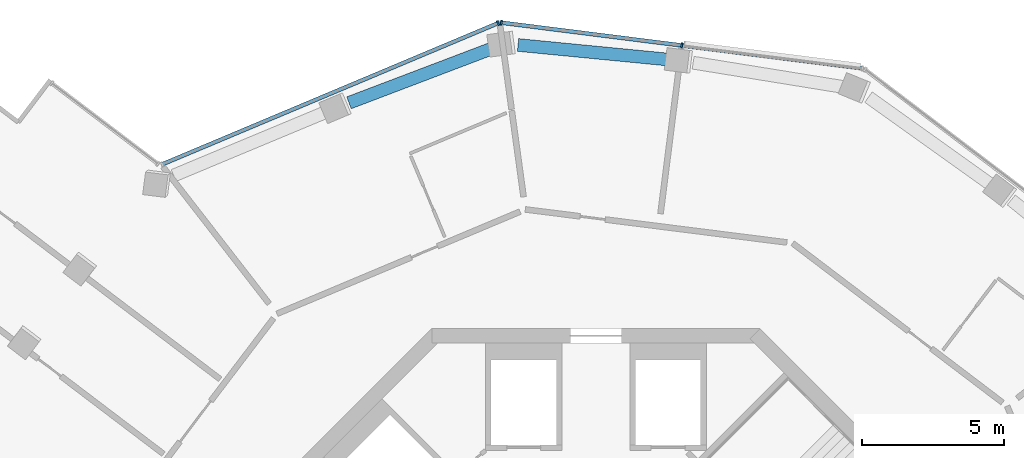
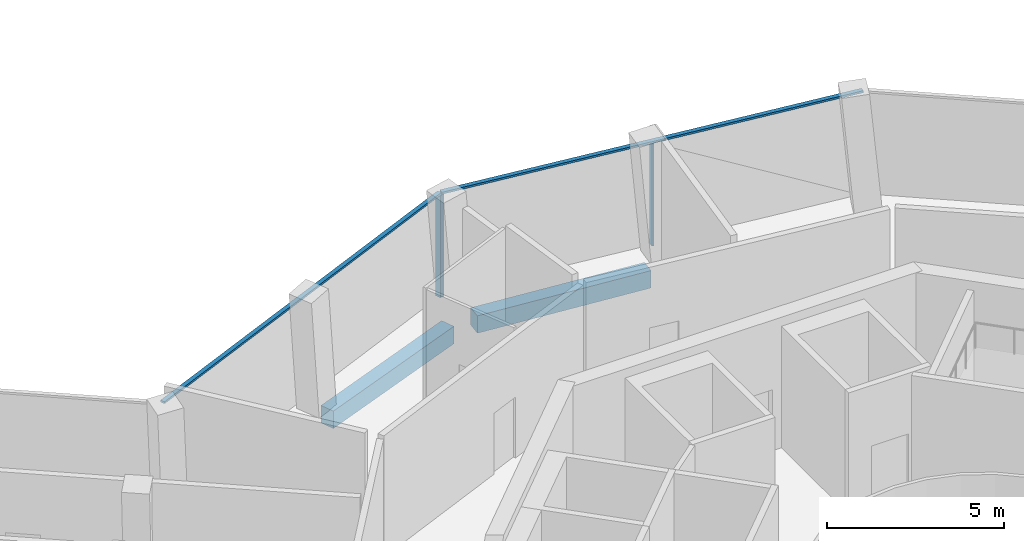
# One storey, part 6 of 18: 5 members, 2 beams, 2 elements without a shape of their own.
"""IFC4 building model written with IfcOpenShell, lengths in metres."""

from ifc_helpers import new_model, si_unit, direction, frame, origin, origin_2d, place, context, subcontext, project, spatial, rectangle, extrude, material, layer, layer_set, material_profile, profile_set, type_object, element, aggregate, save


model = new_model("IFC4")

# Units and contexts
model_context = context("Model", 3, precision=1e-05, world=origin(), true_north=direction((0.0, 1.0)))
body_context = subcontext(model_context, "Body", "Model", "MODEL_VIEW")
ifc_project = project(units=[si_unit("LENGTHUNIT", "METRE"), si_unit("AREAUNIT", "SQUARE_METRE"), si_unit("VOLUMEUNIT", "CUBIC_METRE"), si_unit("PLANEANGLEUNIT", "RADIAN"), si_unit("MASSUNIT", "GRAM", prefix="KILO")], contexts=[model_context])

# Site, building, storey
site_placement = place(None, origin())
site = spatial("IfcSite", under=ifc_project, at=site_placement, CompositionType="ELEMENT")
building_placement = place(site_placement, origin())
building = spatial("IfcBuilding", under=site, at=building_placement, Name="Verdalira Terraces Hotel", CompositionType="ELEMENT")
storey_placement = place(building_placement, frame((0.0, 0.0, 248.0)))
storey = spatial("IfcBuildingStorey", under=building, at=storey_placement, Name="L61", CompositionType="ELEMENT", Elevation=248.0)

# Curtain wall, members
ifc_material_1 = material(Name="Clear glass", Category="glass")
ifc_layer = layer(ifc_material_1, 0.179931640625)
ifc_layer_set = layer_set([ifc_layer], Name="CW4 curtain wall")
curtain_wall_type = type_object("IfcCurtainWallType", Name="CW4 curtain wall", PredefinedType="NOTDEFINED", material=ifc_layer_set)
curtain_wall_1_placement = place(storey_placement, origin())
curtain_wall_1 = element("IfcCurtainWall", 1, at=curtain_wall_1_placement, inside=storey, type_object=curtain_wall_type, Name="CW4 curtain wall L61 edge 40", PredefinedType="NOTDEFINED")
ifc_material_2 = material(Name="Terracotta frame", Category="masonry")
ifc_material_profile_1 = material_profile(ifc_material_2, rectangle(XDim=0.064941, YDim=0.179932, at=origin_2d()), Name="MU 65x180")
ifc_profile_set_1 = profile_set([ifc_material_profile_1], Name="Terracotta frame")
member_type_1 = type_object("IfcMemberType", Name="CW4 mullion 65x180", PredefinedType="MULLION", material=ifc_profile_set_1)
member_1_placement = place(storey_placement, frame((3.032959, 24.007568, 0.0), z_axis=(0.0, 0.0, 1.0), x_axis=(-0.992114701, 0.125333234, 0.0)))
member_1 = element("IfcMember", 2, at=member_1_placement, type_object=member_type_1, Name="CW4 mullion", PredefinedType="MULLION", context=body_context, shape_type="SweptSolid", body=[
    extrude(rectangle(XDim=0.064941, YDim=0.179932, at=origin_2d()), origin(), (0.0, 0.0, 1.0), 3.52002),
])
member_2_placement = place(storey_placement, frame((-3.34375, 24.812988, 0.0), z_axis=(0.0, 0.0, 1.0), x_axis=(-0.992114701, 0.125333234, 0.0)))
member_2 = element("IfcMember", 3, at=member_2_placement, type_object=member_type_1, Name="CW4 mullion", PredefinedType="MULLION", context=body_context, shape_type="SweptSolid", body=[
    extrude(rectangle(XDim=0.064941, YDim=0.179932, at=origin_2d()), origin(), (0.0, 0.0, 1.0), 3.52002),
])

# Curtain wall, member
curtain_wall_2_placement = place(storey_placement, origin())
curtain_wall_2 = element("IfcCurtainWall", 4, at=curtain_wall_2_placement, inside=storey, type_object=curtain_wall_type, Name="CW4 curtain wall L61 edge 41", PredefinedType="NOTDEFINED")
member_3_placement = place(storey_placement, frame((-3.452148, 24.79834, 0.0), z_axis=(0.0, 0.0, 1.0), x_axis=(-0.921863152, -0.387515586, 0.0)))
member_3 = element("IfcMember", 5, at=member_3_placement, type_object=member_type_1, Name="CW4 mullion", PredefinedType="MULLION", context=body_context, shape_type="SweptSolid", body=[
    extrude(rectangle(XDim=0.064941, YDim=0.179932, at=origin_2d()), origin(), (0.0, 0.0, 1.0), 3.52002),
])

# Member
ifc_material_3 = material(Name="Terracotta frame", Category="masonry")
ifc_material_profile_2 = material_profile(ifc_material_3, rectangle(XDim=0.139893, YDim=0.070068, at=origin_2d()), Name="TR 70x140")
ifc_profile_set_2 = profile_set([ifc_material_profile_2], Name="Terracotta frame")
member_type_2 = type_object("IfcMemberType", Name="CW4 transom 70x140", PredefinedType="USERDEFINED", material=ifc_profile_set_2)
member_4_placement = place(storey_placement, frame((9.44165, 23.197998, 3.554932), z_axis=(-0.992115685, 0.125325446, 0.0), x_axis=(-0.125325446, -0.992115685, 0.0)))
member_4 = element("IfcMember", 6, at=member_4_placement, type_object=member_type_2, Name="CW4 transom", ObjectType="TRANSOM", PredefinedType="USERDEFINED", context=body_context, shape_type="SweptSolid", body=[
    extrude(rectangle(XDim=0.139893, YDim=0.070068, at=origin_2d()), origin(), (0.0, 0.0, 1.0), 12.919434),
])

aggregate(curtain_wall_1, [member_1, member_2, member_4])

member_5_placement = place(storey_placement, frame((-3.422119, 24.810791, 3.554932), z_axis=(-0.921863532, -0.387514682, 0.0), x_axis=(0.387514682, -0.921863532, 0.0)))
member_5 = element("IfcMember", 7, at=member_5_placement, type_object=member_type_2, Name="CW4 transom", ObjectType="TRANSOM", PredefinedType="USERDEFINED", context=body_context, shape_type="SweptSolid", body=[
    extrude(rectangle(XDim=0.139893, YDim=0.070068, at=origin_2d()), origin(), (0.0, 0.0, 1.0), 12.942383),
])

aggregate(curtain_wall_2, [member_3, member_5])

# Beams
ifc_material_4 = material(Name="Concrete C40", Category="concrete")
ifc_material_profile_3 = material_profile(ifc_material_4, rectangle(XDim=0.449951, YDim=0.600098, at=origin_2d()), Name="RC 450X600")
ifc_profile_set_3 = profile_set([ifc_material_profile_3], Name="Concrete C40")
beam_type = type_object("IfcBeamType", Name="Spandrel beam RC 450X600 C40", PredefinedType="SPANDREL", material=ifc_profile_set_3)
beam_1_placement = place(storey_placement, frame((2.61792, 23.50293, -0.610107), z_axis=(-0.995321136, 0.096622135, 0.0), x_axis=(-0.096622135, -0.995321136, 0.0)))
element("IfcBeam", 8, at=beam_1_placement, inside=storey, type_object=beam_type, Name="Spandrel beam B21", PredefinedType="SPANDREL", context=body_context, shape_type="SweptSolid", body=[
    extrude(rectangle(XDim=0.449951, YDim=0.600098, at=origin_2d()), origin(), (0.0, 0.0, 1.0), 5.394531),
])
beam_2_placement = place(storey_placement, frame((-3.678711, 23.897949, -0.610107), z_axis=(-0.934767657, -0.355259663, 0.0), x_axis=(0.355259663, -0.934767657, 0.0)))
element("IfcBeam", 9, at=beam_2_placement, inside=storey, type_object=beam_type, Name="Spandrel beam B22", PredefinedType="SPANDREL", context=body_context, shape_type="SweptSolid", body=[
    extrude(rectangle(XDim=0.449951, YDim=0.600098, at=origin_2d()), origin(), (0.0, 0.0, 1.0), 5.396729),
])

save(model, "model.ifc")
